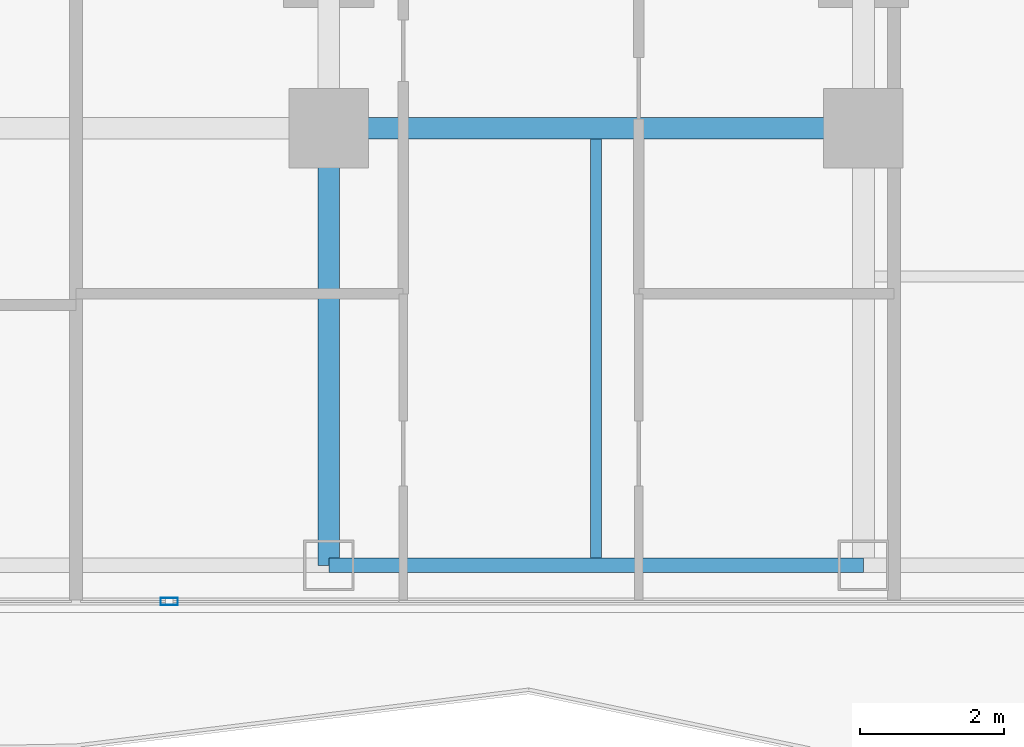
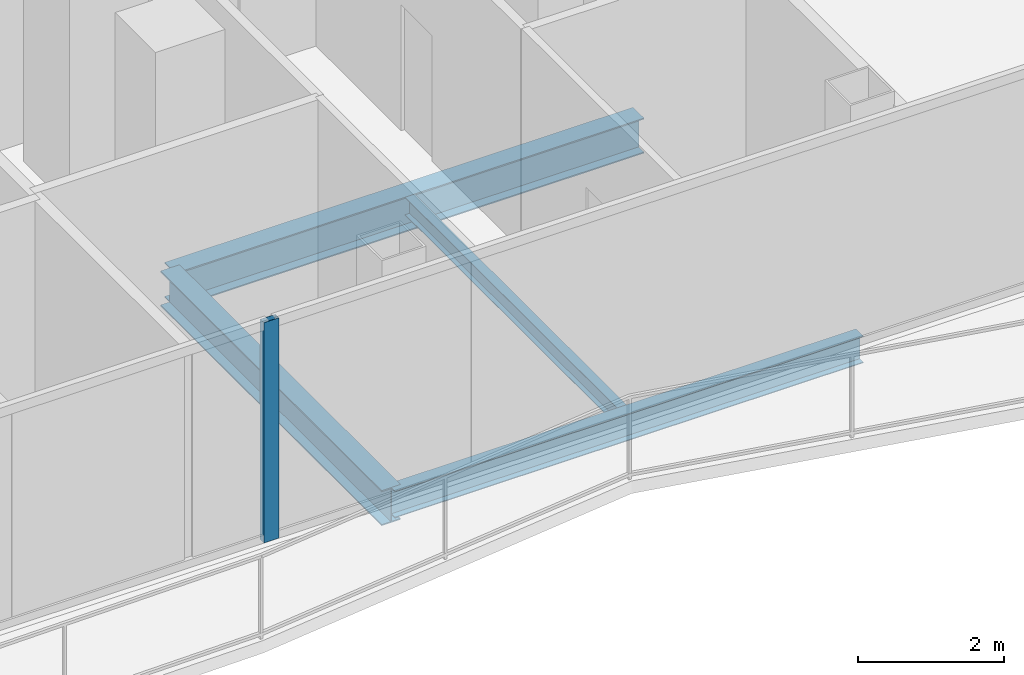
# One storey, part 4 of 29: 4 beams, 1 member, 1 element without a shape of its own.
"""IFC4 building model written with IfcOpenShell, lengths in metres."""

from ifc_helpers import new_model, si_unit, direction, frame, origin, origin_2d, place, context, subcontext, project, spatial, hollow_rectangle, i_section, extrude, material, layer, layer_set, material_profile, profile_set, type_object, element, aggregate, save


model = new_model("IFC4")

# Units and contexts
model_context = context("Model", 3, precision=1e-05, world=origin(), true_north=direction((0.0, 1.0)))
body_context = subcontext(model_context, "Body", "Model", "MODEL_VIEW")
ifc_project = project(units=[si_unit("LENGTHUNIT", "METRE"), si_unit("AREAUNIT", "SQUARE_METRE"), si_unit("VOLUMEUNIT", "CUBIC_METRE"), si_unit("PLANEANGLEUNIT", "RADIAN"), si_unit("MASSUNIT", "GRAM", prefix="KILO")], contexts=[model_context])

# Site, building, storey
site_placement = place(None, origin())
site = spatial("IfcSite", under=ifc_project, at=site_placement, CompositionType="ELEMENT")
building_placement = place(site_placement, origin())
building = spatial("IfcBuilding", under=site, at=building_placement, Name="Khorvyn Point Tower", CompositionType="ELEMENT")
storey_placement = place(building_placement, frame((0.0, 0.0, 140.699951171875)))
storey = spatial("IfcBuildingStorey", under=building, at=storey_placement, Name="L35", CompositionType="ELEMENT", Elevation=140.699951171875)

# Curtain wall, member
ifc_material_1 = material(Name="Anodised aluminium 6063-T6 and laminated Low-E glass", Category="aluminium")
ifc_layer = layer(ifc_material_1, 0.18994140625)
ifc_layer_set = layer_set([ifc_layer], Name="Stick-Built Acoustic Curtain Wall CW-SYS-03")
curtain_wall_type = type_object("IfcCurtainWallType", Name="Stick-Built Acoustic Curtain Wall CW-SYS-03", PredefinedType="NOTDEFINED", material=ifc_layer_set)
curtain_wall_placement = place(storey_placement, origin())
curtain_wall = element("IfcCurtainWall", 1, at=curtain_wall_placement, inside=storey, type_object=curtain_wall_type, Name="Curtain Wall", PredefinedType="NOTDEFINED")
ifc_material_2 = material(Name="Anodised aluminium 6063-T6", Category="aluminium")
ifc_material_profile_1 = material_profile(ifc_material_2, hollow_rectangle(XDim=0.10009765625, YDim=0.239990234375, WallThickness=0.0048828125, at=origin_2d()))
ifc_profile_set_1 = profile_set([ifc_material_profile_1], Name="Anodised aluminium 6063-T6 ALU-MUL-100x240")
member_type = type_object("IfcMemberType", Name="Anodised Aluminium 6063-T6 Mullion ALU-MUL-100x240", PredefinedType="MULLION", material=ifc_profile_set_1)
member_placement = place(storey_placement, frame((5.1904296875, -23.64990234375, 0.0), z_axis=(0.0, 0.0, 1.0), x_axis=(0.0, -1.0, 0.0)))
member = element("IfcMember", 2, at=member_placement, type_object=member_type, Name="Transom", PredefinedType="MULLION", context=body_context, shape_type="SweptSolid", body=[
    extrude(hollow_rectangle(XDim=0.10009765625, YDim=0.239990234375, WallThickness=0.0048828125, at=origin_2d()), origin(), (0.0, 0.0, 1.0), 3.679931640625),
])
aggregate(curtain_wall, [member])

# Beams
ifc_material_3 = material(Name="Steel S355", Category="steel")
ifc_material_profile_2 = material_profile(ifc_material_3, i_section(OverallWidth=0.300048828125, OverallDepth=0.587890625, WebThickness=0.011962890625, FlangeThickness=0.02001953125, at=origin_2d()))
ifc_profile_set_2 = profile_set([ifc_material_profile_2], Name="Steel S355 H588x300x12x20")
beam_type_1 = type_object("IfcBeamType", Name="Steel S355 Beam H588x300x12x20", PredefinedType="BEAM", material=ifc_profile_set_2)
beam_1_placement = place(storey_placement, frame((7.39990234375, -17.10009765625, -0.513916015625), z_axis=(1.0, 0.0, 0.0), x_axis=(0.0, 1.0, 0.0)))
element("IfcBeam", 3, at=beam_1_placement, inside=storey, type_object=beam_type_1, Name="Beam", PredefinedType="BEAM", context=body_context, shape_type="SweptSolid", body=[
    extrude(i_section(OverallWidth=0.300048828125, OverallDepth=0.587890625, WebThickness=0.011962890625, FlangeThickness=0.02001953125, at=origin_2d()), origin(), (0.0, 0.0, 1.0), 7.400146484375),
])
beam_2_placement = place(storey_placement, frame((7.39990234375, -23.14990234375, -0.513916015625), z_axis=(0.0, 1.0, 0.0), x_axis=(-1.0, 0.0, 0.0)))
element("IfcBeam", 4, at=beam_2_placement, inside=storey, type_object=beam_type_1, Name="Beam", PredefinedType="BEAM", context=body_context, shape_type="SweptSolid", body=[
    extrude(i_section(OverallWidth=0.300048828125, OverallDepth=0.587890625, WebThickness=0.011962890625, FlangeThickness=0.02001953125, at=origin_2d()), origin(), (0.0, 0.0, 1.0), 6.0498046875),
])
ifc_material_profile_3 = material_profile(ifc_material_3, i_section(OverallWidth=0.14990234375, OverallDepth=0.300048828125, WebThickness=0.006591796875, FlangeThickness=0.009033203125, at=origin_2d()))
ifc_profile_set_3 = profile_set([ifc_material_profile_3], Name="Steel S355 H300x150x6.5x9")
beam_type_2 = type_object("IfcBeamType", Name="Steel S355 Joist H300x150x6.5x9", PredefinedType="JOIST", material=ifc_profile_set_3)
beam_3_placement = place(storey_placement, frame((11.10009765625, -23.050048828125, -0.369873046875), z_axis=(0.0, 1.0, 0.0), x_axis=(-1.0, 0.0, 0.0)))
element("IfcBeam", 5, at=beam_3_placement, inside=storey, type_object=beam_type_2, Name="Beam", PredefinedType="JOIST", context=body_context, shape_type="SweptSolid", body=[
    extrude(i_section(OverallWidth=0.14990234375, OverallDepth=0.300048828125, WebThickness=0.006591796875, FlangeThickness=0.009033203125, at=origin_2d()), origin(), (0.0, 0.0, 1.0), 5.800048828125),
])
ifc_material_profile_4 = material_profile(ifc_material_3, i_section(OverallWidth=0.199951171875, OverallDepth=0.449951171875, WebThickness=0.009033203125, FlangeThickness=0.013916015625, at=origin_2d()))
ifc_profile_set_4 = profile_set([ifc_material_profile_4], Name="Steel S355 H450x200x9x14")
beam_type_3 = type_object("IfcBeamType", Name="Steel S355 Spandrel H450x200x9x14", PredefinedType="SPANDREL", material=ifc_profile_set_4)
beam_4_placement = place(storey_placement, frame((7.39990234375, -23.14990234375, -0.445068359375), z_axis=(1.0, 0.0, 0.0), x_axis=(0.0, 1.0, 0.0)))
element("IfcBeam", 6, at=beam_4_placement, inside=storey, type_object=beam_type_3, Name="Beam", PredefinedType="SPANDREL", context=body_context, shape_type="SweptSolid", body=[
    extrude(i_section(OverallWidth=0.199951171875, OverallDepth=0.449951171875, WebThickness=0.009033203125, FlangeThickness=0.013916015625, at=origin_2d()), origin(), (0.0, 0.0, 1.0), 7.400146484375),
])

save(model, "model.ifc")
